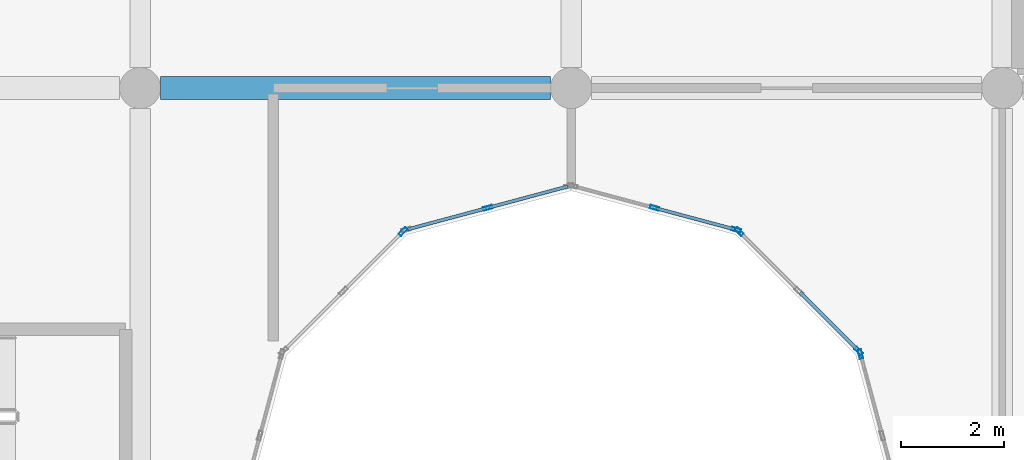
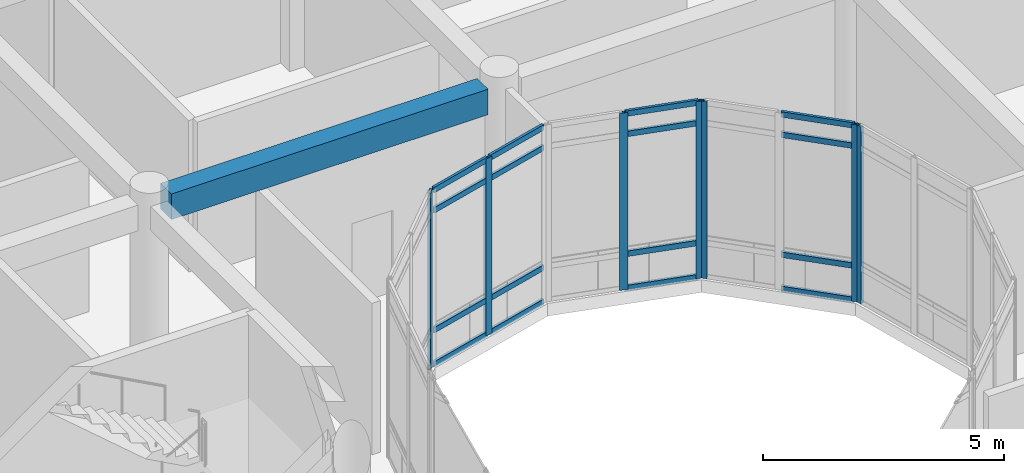
# One storey, part 44 of 138: 23 members, 1 beam, 5 elements without a shape of their own.
"""IFC4 building model written with IfcOpenShell, lengths in metres."""

from ifc_helpers import new_model, si_unit, direction, frame, origin, origin_2d, place, context, subcontext, project, spatial, rectangle, hollow_rectangle, extrude, material, layer, layer_set, material_profile, profile_set, type_object, element, aggregate, save


model = new_model("IFC4")

# Units and contexts
model_context = context("Model", 3, precision=1e-05, world=origin(), true_north=direction((0.0, 1.0)))
body_context = subcontext(model_context, "Body", "Model", "MODEL_VIEW")
ifc_project = project(units=[si_unit("LENGTHUNIT", "METRE"), si_unit("AREAUNIT", "SQUARE_METRE"), si_unit("VOLUMEUNIT", "CUBIC_METRE"), si_unit("PLANEANGLEUNIT", "RADIAN"), si_unit("MASSUNIT", "GRAM", prefix="KILO")], contexts=[model_context])

# Site, building, storey
site_placement = place(None, origin())
site = spatial("IfcSite", under=ifc_project, at=site_placement, CompositionType="ELEMENT")
building_placement = place(site_placement, origin())
building = spatial("IfcBuilding", under=site, at=building_placement, Name="Bramfleet General Hospital", CompositionType="ELEMENT")
storey_placement = place(building_placement, origin())
storey = spatial("IfcBuildingStorey", under=building, at=storey_placement, Name="L00", CompositionType="ELEMENT", Elevation=0.0)

# Beam
ifc_material_1 = material(Name="Concrete C35/45", Category="concrete")
ifc_material_profile_1 = material_profile(ifc_material_1, rectangle(XDim=0.449951171875, YDim=0.64990234375, at=origin_2d()), Name="RC BM 650x450")
ifc_profile_set_1 = profile_set([ifc_material_profile_1], Name="Concrete C35/45")
beam_type = type_object("IfcBeamType", Name="BM-RC650", PredefinedType="BEAM", material=ifc_profile_set_1)
beam_placement = place(storey_placement, frame((109.60009765625, 75.60009765625, 4.175048828125), z_axis=(1.0, 0.0, 0.0), x_axis=(0.0, 1.0, 0.0)))
element("IfcBeam", 1, at=beam_placement, inside=storey, type_object=beam_type, Name="L00 Grid Beam X 13-09", PredefinedType="BEAM", context=body_context, shape_type="SweptSolid", body=[
    extrude(rectangle(XDim=0.449951171875, YDim=0.64990234375, at=origin_2d()), origin(), (0.0, 0.0, 1.0), 7.599853515625),
])

# Curtain wall, member
ifc_material_2 = material(Name="Anodised aluminium and low-E triple glazing", Category="aluminium")
ifc_layer_1 = layer(ifc_material_2, 0.179931640625, Name="CWT-CW-11")
ifc_layer_set_1 = layer_set([ifc_layer_1], Name="Anodised aluminium and low-E triple glazing")
curtain_wall_type_1 = type_object("IfcCurtainWallType", Name="CWT-CW-11", PredefinedType="USERDEFINED", material=ifc_layer_set_1)
curtain_wall_1_placement = place(storey_placement, origin())
curtain_wall_1 = element("IfcCurtainWall", 2, at=curtain_wall_1_placement, inside=storey, type_object=curtain_wall_type_1, Name="L00 East Laboratory Light Court Curtain Wall 7.1", ObjectType="Stick curtain wall", PredefinedType="USERDEFINED")
ifc_material_3 = material(Name="Anodised aluminium EN AW-6060", Category="aluminium")
ifc_material_profile_2 = material_profile(ifc_material_3, hollow_rectangle(XDim=0.070068359375, YDim=0.179931640625, WallThickness=0.00390625, at=origin_2d()), Name="ALU 180x70x4.0")
ifc_profile_set_2 = profile_set([ifc_material_profile_2], Name="Anodised aluminium EN AW-6060")
member_type_1 = type_object("IfcMemberType", Name="CWM-ALU180", PredefinedType="MULLION", material=ifc_profile_set_2)
member_1_placement = place(storey_placement, frame((123.238037109375, 70.416259765625, 0.0), z_axis=(0.0, 0.0, 1.0), x_axis=(-0.965913556273, -0.258864833085, 0.0)))
member_1 = element("IfcMember", 3, at=member_1_placement, type_object=member_type_1, Name="CW-11 mullion 3", PredefinedType="MULLION", context=body_context, shape_type="SweptSolid", body=[
    extrude(hollow_rectangle(XDim=0.070068359375, YDim=0.179931640625, WallThickness=0.00390625, at=origin_2d()), origin(), (0.0, 0.0, 1.0), 4.489990234375),
])
aggregate(curtain_wall_1, [member_1])

# Curtain wall, members
ifc_layer_2 = layer(ifc_material_2, 0.179931640625, Name="CWT-CW-12")
ifc_layer_set_2 = layer_set([ifc_layer_2], Name="Anodised aluminium and low-E triple glazing")
curtain_wall_type_2 = type_object("IfcCurtainWallType", Name="CWT-CW-12", PredefinedType="USERDEFINED", material=ifc_layer_set_2)
curtain_wall_2_placement = place(storey_placement, origin())
curtain_wall_2 = element("IfcCurtainWall", 4, at=curtain_wall_2_placement, inside=storey, type_object=curtain_wall_type_2, Name="L00 East Laboratory Light Court Curtain Wall 8.1", ObjectType="Stick curtain wall", PredefinedType="USERDEFINED")
member_2_placement = place(storey_placement, frame((123.204345703125, 70.474853515625, 0.0), z_axis=(0.0, 0.0, 1.0), x_axis=(-0.707106781187, -0.707106781187, 0.0)))
member_2 = element("IfcMember", 5, at=member_2_placement, type_object=member_type_1, Name="CW-12 mullion 1", PredefinedType="MULLION", context=body_context, shape_type="SweptSolid", body=[
    extrude(hollow_rectangle(XDim=0.070068359375, YDim=0.179931640625, WallThickness=0.00390625, at=origin_2d()), origin(), (0.0, 0.0, 1.0), 4.489990234375),
])
member_3_placement = place(storey_placement, frame((120.874755859375, 72.80419921875, 0.0), z_axis=(0.0, 0.0, 1.0), x_axis=(-0.707106781187, -0.707106781187, 0.0)))
member_3 = element("IfcMember", 6, at=member_3_placement, type_object=member_type_1, Name="CW-12 mullion 3", PredefinedType="MULLION", context=body_context, shape_type="SweptSolid", body=[
    extrude(hollow_rectangle(XDim=0.070068359375, YDim=0.179931640625, WallThickness=0.00390625, at=origin_2d()), origin(), (0.0, 0.0, 1.0), 4.489990234375),
])

ifc_layer_3 = layer(ifc_material_2, 0.179931640625, Name="CWT-CW-13")
ifc_layer_set_3 = layer_set([ifc_layer_3], Name="Anodised aluminium and low-E triple glazing")
curtain_wall_type_3 = type_object("IfcCurtainWallType", Name="CWT-CW-13", PredefinedType="USERDEFINED", material=ifc_layer_set_3)
curtain_wall_3_placement = place(storey_placement, origin())
curtain_wall_3 = element("IfcCurtainWall", 7, at=curtain_wall_3_placement, inside=storey, type_object=curtain_wall_type_3, Name="L00 East Laboratory Light Court Curtain Wall 9.1", ObjectType="Stick curtain wall", PredefinedType="USERDEFINED")
member_4_placement = place(storey_placement, frame((120.816162109375, 72.838134765625, 0.0), z_axis=(0.0, 0.0, 1.0), x_axis=(-0.258864833085, -0.965913556273, 0.0)))
member_4 = element("IfcMember", 8, at=member_4_placement, type_object=member_type_1, Name="CW-13 mullion 1", PredefinedType="MULLION", context=body_context, shape_type="SweptSolid", body=[
    extrude(hollow_rectangle(XDim=0.070068359375, YDim=0.179931640625, WallThickness=0.00390625, at=origin_2d()), origin(), (0.0, 0.0, 1.0), 4.489990234375),
])
member_5_placement = place(storey_placement, frame((119.22509765625, 73.264404296875, 0.0), z_axis=(0.0, 0.0, 1.0), x_axis=(-0.258864833085, -0.965913556273, 0.0)))
member_5 = element("IfcMember", 9, at=member_5_placement, type_object=member_type_1, Name="CW-13 mullion 2", PredefinedType="MULLION", context=body_context, shape_type="SweptSolid", body=[
    extrude(hollow_rectangle(XDim=0.070068359375, YDim=0.179931640625, WallThickness=0.00390625, at=origin_2d()), origin(), (0.0, 0.0, 1.0), 4.489990234375),
])

# Curtain wall, member
ifc_layer_4 = layer(ifc_material_2, 0.179931640625, Name="CWT-CW-14")
ifc_layer_set_4 = layer_set([ifc_layer_4], Name="Anodised aluminium and low-E triple glazing")
curtain_wall_type_4 = type_object("IfcCurtainWallType", Name="CWT-CW-14", PredefinedType="USERDEFINED", material=ifc_layer_set_4)
curtain_wall_4_placement = place(storey_placement, origin())
curtain_wall_4 = element("IfcCurtainWall", 10, at=curtain_wall_4_placement, inside=storey, type_object=curtain_wall_type_4, Name="L00 East Laboratory Light Court Curtain Wall 10.1", ObjectType="Stick curtain wall", PredefinedType="USERDEFINED")
member_6_placement = place(storey_placement, frame((115.97509765625, 73.264404296875, 0.0), z_axis=(0.0, 0.0, 1.0), x_axis=(0.258864833085, -0.965913556273, 0.0)))
member_6 = element("IfcMember", 11, at=member_6_placement, type_object=member_type_1, Name="CW-14 mullion 2", PredefinedType="MULLION", context=body_context, shape_type="SweptSolid", body=[
    extrude(hollow_rectangle(XDim=0.070068359375, YDim=0.179931640625, WallThickness=0.00390625, at=origin_2d()), origin(), (0.0, 0.0, 1.0), 4.489990234375),
])

ifc_layer_5 = layer(ifc_material_2, 0.179931640625, Name="CWT-CW-15")
ifc_layer_set_5 = layer_set([ifc_layer_5], Name="Anodised aluminium and low-E triple glazing")
curtain_wall_type_5 = type_object("IfcCurtainWallType", Name="CWT-CW-15", PredefinedType="USERDEFINED", material=ifc_layer_set_5)
curtain_wall_5_placement = place(storey_placement, origin())
curtain_wall_5 = element("IfcCurtainWall", 12, at=curtain_wall_5_placement, inside=storey, type_object=curtain_wall_type_5, Name="L00 East Laboratory Light Court Curtain Wall 11.1", ObjectType="Stick curtain wall", PredefinedType="USERDEFINED")
member_7_placement = place(storey_placement, frame((114.3251953125, 72.80419921875, 0.0), z_axis=(0.0, 0.0, 1.0), x_axis=(0.707106781187, -0.707106781187, 0.0)))
member_7 = element("IfcMember", 13, at=member_7_placement, type_object=member_type_1, Name="CW-15 mullion 1", PredefinedType="MULLION", context=body_context, shape_type="SweptSolid", body=[
    extrude(hollow_rectangle(XDim=0.070068359375, YDim=0.179931640625, WallThickness=0.00390625, at=origin_2d()), origin(), (0.0, 0.0, 1.0), 4.489990234375),
])
aggregate(curtain_wall_5, [member_7])

# Member
ifc_material_profile_3 = material_profile(ifc_material_3, hollow_rectangle(XDim=0.06494140625, YDim=0.139892578125, WallThickness=0.00390625, at=origin_2d()), Name="ALU 140x65x4.0")
ifc_profile_set_3 = profile_set([ifc_material_profile_3], Name="Anodised aluminium EN AW-6060")
member_type_2 = type_object("IfcMemberType", Name="CWT-ALU140", PredefinedType="USERDEFINED", material=ifc_profile_set_3)
member_8_placement = place(storey_placement, frame((123.179443359375, 70.49951171875, 0.032470703125), z_axis=(-0.707106781187, 0.707106781187, 0.0), x_axis=(-0.707106781187, -0.707106781187, 0.0)))
member_8 = element("IfcMember", 14, at=member_8_placement, type_object=member_type_2, Name="CW-12 transom 1.1", ObjectType="TRANSOM", PredefinedType="USERDEFINED", context=body_context, shape_type="SweptSolid", body=[
    extrude(hollow_rectangle(XDim=0.06494140625, YDim=0.139892578125, WallThickness=0.00390625, at=origin_2d()), origin(), (0.0, 0.0, 1.0), 1.5771484375),
])

member_9_placement = place(storey_placement, frame((123.179443359375, 70.49951171875, 0.89990234375), z_axis=(-0.707106781187, 0.707106781187, 0.0), x_axis=(-0.707106781187, -0.707106781187, 0.0)))
member_9 = element("IfcMember", 15, at=member_9_placement, type_object=member_type_2, Name="CW-12 transom 1.2", ObjectType="TRANSOM", PredefinedType="USERDEFINED", context=body_context, shape_type="SweptSolid", body=[
    extrude(hollow_rectangle(XDim=0.06494140625, YDim=0.139892578125, WallThickness=0.00390625, at=origin_2d()), origin(), (0.0, 0.0, 1.0), 1.5771484375),
])

member_10_placement = place(storey_placement, frame((123.179443359375, 70.49951171875, 3.93994140625), z_axis=(-0.707106781187, 0.707106781187, 0.0), x_axis=(-0.707106781187, -0.707106781187, 0.0)))
member_10 = element("IfcMember", 16, at=member_10_placement, type_object=member_type_2, Name="CW-12 transom 1.3", ObjectType="TRANSOM", PredefinedType="USERDEFINED", context=body_context, shape_type="SweptSolid", body=[
    extrude(hollow_rectangle(XDim=0.06494140625, YDim=0.139892578125, WallThickness=0.00390625, at=origin_2d()), origin(), (0.0, 0.0, 1.0), 1.5771484375),
])

member_11_placement = place(storey_placement, frame((123.179443359375, 70.49951171875, 4.45751953125), z_axis=(-0.707106781187, 0.707106781187, 0.0), x_axis=(-0.707106781187, -0.707106781187, 0.0)))
member_11 = element("IfcMember", 17, at=member_11_placement, type_object=member_type_2, Name="CW-12 transom 1.4", ObjectType="TRANSOM", PredefinedType="USERDEFINED", context=body_context, shape_type="SweptSolid", body=[
    extrude(hollow_rectangle(XDim=0.06494140625, YDim=0.139892578125, WallThickness=0.00390625, at=origin_2d()), origin(), (0.0, 0.0, 1.0), 1.5771484375),
])

aggregate(curtain_wall_2, [member_2, member_3, member_8, member_9, member_10, member_11])

member_12_placement = place(storey_placement, frame((120.782470703125, 72.84716796875, 0.032470703125), z_axis=(-0.965936307862, 0.25877992417, 0.0), x_axis=(-0.25877992417, -0.965936307862, 0.0)))
member_12 = element("IfcMember", 18, at=member_12_placement, type_object=member_type_2, Name="CW-13 transom 1.1", ObjectType="TRANSOM", PredefinedType="USERDEFINED", context=body_context, shape_type="SweptSolid", body=[
    extrude(hollow_rectangle(XDim=0.06494140625, YDim=0.139892578125, WallThickness=0.00390625, at=origin_2d()), origin(), (0.0, 0.0, 1.0), 1.577392578125),
])

member_13_placement = place(storey_placement, frame((120.782470703125, 72.84716796875, 0.89990234375), z_axis=(-0.965936307862, 0.25877992417, 0.0), x_axis=(-0.25877992417, -0.965936307862, 0.0)))
member_13 = element("IfcMember", 19, at=member_13_placement, type_object=member_type_2, Name="CW-13 transom 1.2", ObjectType="TRANSOM", PredefinedType="USERDEFINED", context=body_context, shape_type="SweptSolid", body=[
    extrude(hollow_rectangle(XDim=0.06494140625, YDim=0.139892578125, WallThickness=0.00390625, at=origin_2d()), origin(), (0.0, 0.0, 1.0), 1.577392578125),
])

member_14_placement = place(storey_placement, frame((120.782470703125, 72.84716796875, 3.93994140625), z_axis=(-0.965936307862, 0.25877992417, 0.0), x_axis=(-0.25877992417, -0.965936307862, 0.0)))
member_14 = element("IfcMember", 20, at=member_14_placement, type_object=member_type_2, Name="CW-13 transom 1.3", ObjectType="TRANSOM", PredefinedType="USERDEFINED", context=body_context, shape_type="SweptSolid", body=[
    extrude(hollow_rectangle(XDim=0.06494140625, YDim=0.139892578125, WallThickness=0.00390625, at=origin_2d()), origin(), (0.0, 0.0, 1.0), 1.577392578125),
])

member_15_placement = place(storey_placement, frame((120.782470703125, 72.84716796875, 4.45751953125), z_axis=(-0.965936307862, 0.25877992417, 0.0), x_axis=(-0.25877992417, -0.965936307862, 0.0)))
member_15 = element("IfcMember", 21, at=member_15_placement, type_object=member_type_2, Name="CW-13 transom 1.4", ObjectType="TRANSOM", PredefinedType="USERDEFINED", context=body_context, shape_type="SweptSolid", body=[
    extrude(hollow_rectangle(XDim=0.06494140625, YDim=0.139892578125, WallThickness=0.00390625, at=origin_2d()), origin(), (0.0, 0.0, 1.0), 1.577392578125),
])

aggregate(curtain_wall_3, [member_4, member_5, member_12, member_13, member_14, member_15])

member_16_placement = place(storey_placement, frame((117.532470703125, 73.681884765625, 0.032470703125), z_axis=(-0.965936307862, -0.25877992417, 0.0), x_axis=(0.25877992417, -0.965936307862, 0.0)))
member_16 = element("IfcMember", 22, at=member_16_placement, type_object=member_type_2, Name="CW-14 transom 1.1", ObjectType="TRANSOM", PredefinedType="USERDEFINED", context=body_context, shape_type="SweptSolid", body=[
    extrude(hollow_rectangle(XDim=0.06494140625, YDim=0.139892578125, WallThickness=0.00390625, at=origin_2d()), origin(), (0.0, 0.0, 1.0), 1.577392578125),
])

member_17_placement = place(storey_placement, frame((117.532470703125, 73.681884765625, 0.89990234375), z_axis=(-0.965936307862, -0.25877992417, 0.0), x_axis=(0.25877992417, -0.965936307862, 0.0)))
member_17 = element("IfcMember", 23, at=member_17_placement, type_object=member_type_2, Name="CW-14 transom 1.2", ObjectType="TRANSOM", PredefinedType="USERDEFINED", context=body_context, shape_type="SweptSolid", body=[
    extrude(hollow_rectangle(XDim=0.06494140625, YDim=0.139892578125, WallThickness=0.00390625, at=origin_2d()), origin(), (0.0, 0.0, 1.0), 1.577392578125),
])

member_18_placement = place(storey_placement, frame((117.532470703125, 73.681884765625, 3.93994140625), z_axis=(-0.965936307862, -0.25877992417, 0.0), x_axis=(0.25877992417, -0.965936307862, 0.0)))
member_18 = element("IfcMember", 24, at=member_18_placement, type_object=member_type_2, Name="CW-14 transom 1.3", ObjectType="TRANSOM", PredefinedType="USERDEFINED", context=body_context, shape_type="SweptSolid", body=[
    extrude(hollow_rectangle(XDim=0.06494140625, YDim=0.139892578125, WallThickness=0.00390625, at=origin_2d()), origin(), (0.0, 0.0, 1.0), 1.577392578125),
])

member_19_placement = place(storey_placement, frame((117.532470703125, 73.681884765625, 4.45751953125), z_axis=(-0.965936307862, -0.25877992417, 0.0), x_axis=(0.25877992417, -0.965936307862, 0.0)))
member_19 = element("IfcMember", 25, at=member_19_placement, type_object=member_type_2, Name="CW-14 transom 1.4", ObjectType="TRANSOM", PredefinedType="USERDEFINED", context=body_context, shape_type="SweptSolid", body=[
    extrude(hollow_rectangle(XDim=0.06494140625, YDim=0.139892578125, WallThickness=0.00390625, at=origin_2d()), origin(), (0.0, 0.0, 1.0), 1.577392578125),
])

member_20_placement = place(storey_placement, frame((115.941162109375, 73.25537109375, 0.032470703125), z_axis=(-0.965925940868, -0.258818617489, 0.0), x_axis=(0.258818617489, -0.965925940868, 0.0)))
member_20 = element("IfcMember", 26, at=member_20_placement, type_object=member_type_2, Name="CW-14 transom 2.1", ObjectType="TRANSOM", PredefinedType="USERDEFINED", context=body_context, shape_type="SweptSolid", body=[
    extrude(hollow_rectangle(XDim=0.06494140625, YDim=0.139892578125, WallThickness=0.00390625, at=origin_2d()), origin(), (0.0, 0.0, 1.0), 1.5771484375),
])

member_21_placement = place(storey_placement, frame((115.941162109375, 73.25537109375, 0.89990234375), z_axis=(-0.965925940868, -0.258818617489, 0.0), x_axis=(0.258818617489, -0.965925940868, 0.0)))
member_21 = element("IfcMember", 27, at=member_21_placement, type_object=member_type_2, Name="CW-14 transom 2.2", ObjectType="TRANSOM", PredefinedType="USERDEFINED", context=body_context, shape_type="SweptSolid", body=[
    extrude(hollow_rectangle(XDim=0.06494140625, YDim=0.139892578125, WallThickness=0.00390625, at=origin_2d()), origin(), (0.0, 0.0, 1.0), 1.5771484375),
])

member_22_placement = place(storey_placement, frame((115.941162109375, 73.25537109375, 3.93994140625), z_axis=(-0.965925940868, -0.258818617489, 0.0), x_axis=(0.258818617489, -0.965925940868, 0.0)))
member_22 = element("IfcMember", 28, at=member_22_placement, type_object=member_type_2, Name="CW-14 transom 2.3", ObjectType="TRANSOM", PredefinedType="USERDEFINED", context=body_context, shape_type="SweptSolid", body=[
    extrude(hollow_rectangle(XDim=0.06494140625, YDim=0.139892578125, WallThickness=0.00390625, at=origin_2d()), origin(), (0.0, 0.0, 1.0), 1.5771484375),
])

member_23_placement = place(storey_placement, frame((115.941162109375, 73.25537109375, 4.45751953125), z_axis=(-0.965925940868, -0.258818617489, 0.0), x_axis=(0.258818617489, -0.965925940868, 0.0)))
member_23 = element("IfcMember", 29, at=member_23_placement, type_object=member_type_2, Name="CW-14 transom 2.4", ObjectType="TRANSOM", PredefinedType="USERDEFINED", context=body_context, shape_type="SweptSolid", body=[
    extrude(hollow_rectangle(XDim=0.06494140625, YDim=0.139892578125, WallThickness=0.00390625, at=origin_2d()), origin(), (0.0, 0.0, 1.0), 1.5771484375),
])

aggregate(curtain_wall_4, [member_6, member_16, member_17, member_18, member_19, member_20, member_21, member_22, member_23])

save(model, "model.ifc")
